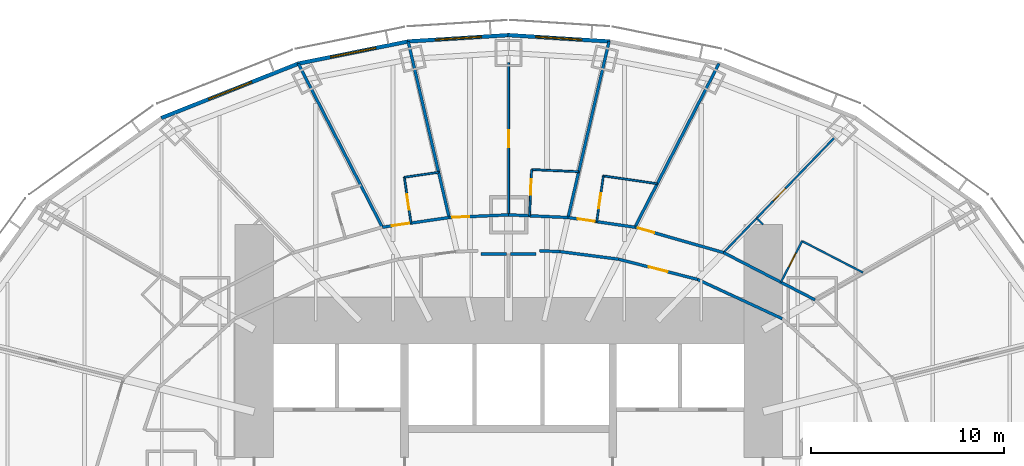
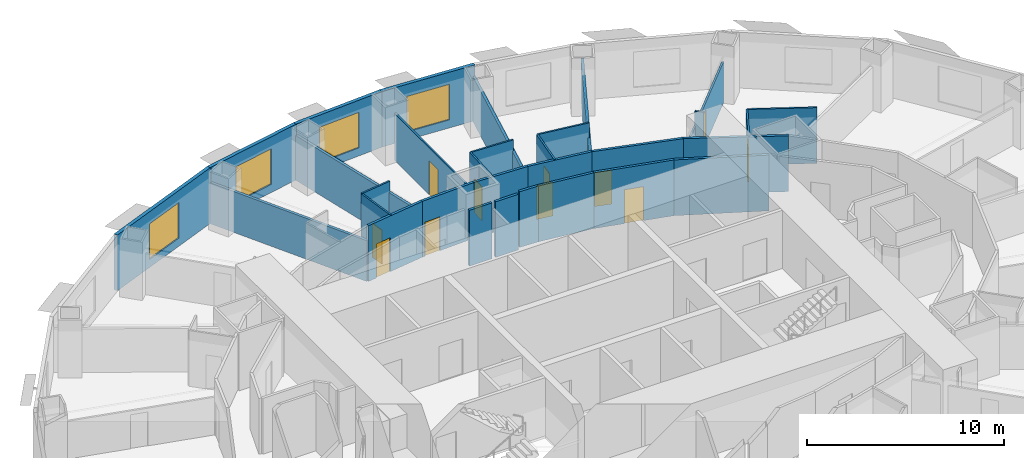
# One storey, part 9 of 15: 31 walls, 11 doors, 4 windows, 15 openings.
"""IFC4 building model written with IfcOpenShell, lengths in metres."""

from ifc_helpers import new_model, si_unit, direction, frame, frame_2d, origin, place, context, subcontext, project, spatial, rectangle, extrude, material, layer, layer_set, type_object, element, fill, save


model = new_model("IFC4")

# Units and contexts
model_context = context("Model", 3, precision=1e-05, world=origin(), true_north=direction((0.0, 1.0)))
body_context = subcontext(model_context, "Body", "Model", "MODEL_VIEW")
ifc_project = project(units=[si_unit("LENGTHUNIT", "METRE"), si_unit("AREAUNIT", "SQUARE_METRE"), si_unit("VOLUMEUNIT", "CUBIC_METRE"), si_unit("PLANEANGLEUNIT", "RADIAN"), si_unit("MASSUNIT", "GRAM", prefix="KILO")], contexts=[model_context])

# Site, building, storey
site_placement = place(None, origin())
site = spatial("IfcSite", under=ifc_project, at=site_placement, CompositionType="ELEMENT")
building_placement = place(site_placement, origin())
building = spatial("IfcBuilding", under=site, at=building_placement, Name="Lantaw Convention Tower", CompositionType="ELEMENT")
storey_placement = place(building_placement, frame((0.0, 0.0, 51.39990234375)))
storey = spatial("IfcBuildingStorey", under=building, at=storey_placement, Name="L10", CompositionType="ELEMENT", Elevation=51.39990234375)

# Wall, opening, door
ifc_material_1 = material(Name="Moisture resistant gypsum board on steel studs", Category="steel")
ifc_layer_1 = layer(ifc_material_1, 0.10009765625)
ifc_layer_set_1 = layer_set([ifc_layer_1], Name="Bathroom wall 100")
wall_type_1 = type_object("IfcWallType", Name="Bathroom wall 100", PredefinedType="PARTITIONING", material=ifc_layer_set_1)
wall_1_placement = place(storey_placement, frame((14.12451171875, 10.0048828125, 0.0), z_axis=(0.0, 0.0, 1.0), x_axis=(0.459218106657, 0.888323550582, 0.0)))
wall_1 = element("IfcWall", 1, at=wall_1_placement, inside=storey, type_object=wall_type_1, Name="Bathroom wall 100", PredefinedType="PARTITIONING", context=body_context, shape_type="SweptSolid", body=[
    extrude(rectangle(XDim=2.39990234375, YDim=0.10009765625, at=frame_2d((1.199951171875, 0.0))), origin(), (0.0, 0.0, 1.0), 3.4501953125),
])
opening_1_placement = place(wall_1_placement, frame((0.89990234375, 0.0, 0.0)))
opening_1 = element("IfcOpeningElement", 2, at=opening_1_placement, cuts=wall_1, Name="Opening L10.28", PredefinedType="OPENING", context=body_context, shape_type="SweptSolid", body=[
    extrude(rectangle(XDim=0.800048828125, YDim=2.10009765625, at=frame_2d((0.39990234375, 1.050048828125))), frame((0.0, 0.06005859375, 0.0), z_axis=(0.0, -1.0, 0.0), x_axis=(1.0, 0.0, 0.0)), (0.0, 0.0, 1.0), 0.1201171875),
])
ifc_material_2 = material(Name="Timber", Category="wood")
door_type_1 = type_object("IfcDoorType", Name="Bathroom door 800", OperationType="SINGLE_SWING_LEFT", PredefinedType="DOOR", material=ifc_material_2)
door_1_placement = place(opening_1_placement, origin())
door_1 = element("IfcDoor", 3, at=door_1_placement, inside=storey, type_object=door_type_1, Name="Bathroom door", OperationType="SINGLE_SWING_LEFT", OverallHeight=2.10009765625, OverallWidth=0.800048828125, PredefinedType="DOOR", context=body_context, shape_type="SweptSolid", body=[
    extrude(rectangle(XDim=0.800048828125, YDim=2.10009765625, at=frame_2d((0.39990234375, 1.050048828125))), frame((0.0, 0.02490234375, 0.0), z_axis=(0.0, -1.0, 0.0), x_axis=(1.0, 0.0, 0.0)), (0.0, 0.0, 1.0), 0.050048828125),
])
fill(opening_1, door_1)

# Wall
wall_2_placement = place(storey_placement, frame((15.2265625, 12.13671875, 0.0), z_axis=(0.0, 0.0, 1.0), x_axis=(0.888342312029, -0.459181812204, 0.0)))
element("IfcWall", 4, at=wall_2_placement, inside=storey, type_object=wall_type_1, Name="Bathroom wall 100", PredefinedType="PARTITIONING", context=body_context, shape_type="SweptSolid", body=[
    extrude(rectangle(XDim=3.5537109375, YDim=0.10009765625, at=frame_2d((1.77685546875, 0.0))), origin(), (0.0, 0.0, 1.0), 3.4501953125),
])

# Wall, opening, door
wall_3_placement = place(storey_placement, frame((4.572021484375, 13.144775390625, 0.0), z_axis=(0.0, 0.0, 1.0), x_axis=(0.143429072319, 0.989660599, 0.0)))
wall_3 = element("IfcWall", 5, at=wall_3_placement, inside=storey, type_object=wall_type_1, Name="Bathroom wall 100", PredefinedType="PARTITIONING", context=body_context, shape_type="SweptSolid", body=[
    extrude(rectangle(XDim=2.400146484375, YDim=0.10009765625, at=frame_2d((1.2001953125, 0.0))), origin(), (0.0, 0.0, 1.0), 3.4501953125),
])
opening_2_placement = place(wall_3_placement, frame((0.699951171875, 0.0, 0.0)))
opening_2 = element("IfcOpeningElement", 6, at=opening_2_placement, cuts=wall_3, Name="Opening L10.31", PredefinedType="OPENING", context=body_context, shape_type="SweptSolid", body=[
    extrude(rectangle(XDim=0.800048828125, YDim=2.10009765625, at=frame_2d((0.39990234375, 1.050048828125))), frame((0.0, 0.06005859375, 0.0), z_axis=(0.0, -1.0, 0.0), x_axis=(1.0, 0.0, 0.0)), (0.0, 0.0, 1.0), 0.1201171875),
])
door_2_placement = place(opening_2_placement, origin())
door_2 = element("IfcDoor", 7, at=door_2_placement, inside=storey, type_object=door_type_1, Name="Bathroom door", OperationType="SINGLE_SWING_LEFT", OverallHeight=2.10009765625, OverallWidth=0.800048828125, PredefinedType="DOOR", context=body_context, shape_type="SweptSolid", body=[
    extrude(rectangle(XDim=0.800048828125, YDim=2.10009765625, at=frame_2d((0.39990234375, 1.050048828125))), frame((0.0, 0.02490234375, 0.0), z_axis=(0.0, -1.0, 0.0), x_axis=(1.0, 0.0, 0.0)), (0.0, 0.0, 1.0), 0.050048828125),
])
fill(opening_2, door_2)

# Wall
wall_4_placement = place(storey_placement, frame((4.916259765625, 15.52001953125, 0.0), z_axis=(0.0, 0.0, 1.0), x_axis=(0.989657744136, -0.143448769503, 0.0)))
element("IfcWall", 8, at=wall_4_placement, inside=storey, type_object=wall_type_1, Name="Bathroom wall 100", PredefinedType="PARTITIONING", context=body_context, shape_type="SweptSolid", body=[
    extrude(rectangle(XDim=2.81494140625, YDim=0.10009765625, at=frame_2d((1.407470703125, 0.0))), origin(), (0.0, 0.0, 1.0), 3.4501953125),
])

# Wall, opening, door
wall_5_placement = place(storey_placement, frame((1.08642578125, 13.450927734375, 0.0), z_axis=(0.0, 0.0, 1.0), x_axis=(0.045269225691, 0.998974823109, 0.0)))
wall_5 = element("IfcWall", 9, at=wall_5_placement, inside=storey, type_object=wall_type_1, Name="Bathroom wall 100", PredefinedType="PARTITIONING", context=body_context, shape_type="SweptSolid", body=[
    extrude(rectangle(XDim=2.39990234375, YDim=0.10009765625, at=frame_2d((1.199951171875, 0.0))), origin(), (0.0, 0.0, 1.0), 3.4501953125),
])
opening_3_placement = place(wall_5_placement, frame((1.10009765625, 0.0, 0.0)))
opening_3 = element("IfcOpeningElement", 10, at=opening_3_placement, cuts=wall_5, Name="Opening L10.33", PredefinedType="OPENING", context=body_context, shape_type="SweptSolid", body=[
    extrude(rectangle(XDim=0.800048828125, YDim=2.10009765625, at=frame_2d((0.39990234375, 1.050048828125))), frame((0.0, 0.06005859375, 0.0), z_axis=(0.0, -1.0, 0.0), x_axis=(1.0, 0.0, 0.0)), (0.0, 0.0, 1.0), 0.1201171875),
])
door_3_placement = place(opening_3_placement, origin())
door_3 = element("IfcDoor", 11, at=door_3_placement, inside=storey, type_object=door_type_1, Name="Bathroom door", OperationType="SINGLE_SWING_LEFT", OverallHeight=2.10009765625, OverallWidth=0.800048828125, PredefinedType="DOOR", context=body_context, shape_type="SweptSolid", body=[
    extrude(rectangle(XDim=0.800048828125, YDim=2.10009765625, at=frame_2d((0.39990234375, 1.050048828125))), frame((0.0, 0.02490234375, 0.0), z_axis=(0.0, -1.0, 0.0), x_axis=(1.0, 0.0, 0.0)), (0.0, 0.0, 1.0), 0.050048828125),
])
fill(opening_3, door_3)

# Wall
wall_6_placement = place(storey_placement, frame((1.195068359375, 15.848388671875, 0.0), z_axis=(0.0, 0.0, 1.0), x_axis=(0.998977389599, -0.045212554331, 0.0)))
element("IfcWall", 12, at=wall_6_placement, inside=storey, type_object=wall_type_1, Name="Bathroom wall 100", PredefinedType="PARTITIONING", context=body_context, shape_type="SweptSolid", body=[
    extrude(rectangle(XDim=2.440673828125, YDim=0.10009765625, at=frame_2d((1.22021484375, 0.0))), origin(), (0.0, 0.0, 1.0), 3.4501953125),
])

# Wall, opening, door
wall_7_placement = place(storey_placement, frame((-5.063720703125, 13.073486328125, 0.0), z_axis=(0.0, 0.0, 1.0), x_axis=(-0.143429072319, 0.989660599, 0.0)))
wall_7 = element("IfcWall", 13, at=wall_7_placement, inside=storey, type_object=wall_type_1, Name="Bathroom wall 100", PredefinedType="PARTITIONING", context=body_context, shape_type="SweptSolid", body=[
    extrude(rectangle(XDim=2.400146484375, YDim=0.10009765625, at=frame_2d((1.2001953125, 0.0))), origin(), (0.0, 0.0, 1.0), 3.4501953125),
])
opening_4_placement = place(wall_7_placement, frame((0.699951171875, 0.0, 0.0)))
opening_4 = element("IfcOpeningElement", 14, at=opening_4_placement, cuts=wall_7, Name="Opening L10.36", PredefinedType="OPENING", context=body_context, shape_type="SweptSolid", body=[
    extrude(rectangle(XDim=0.800048828125, YDim=2.10009765625, at=frame_2d((0.39990234375, 1.050048828125))), frame((0.0, 0.06005859375, 0.0), z_axis=(0.0, -1.0, 0.0), x_axis=(1.0, 0.0, 0.0)), (0.0, 0.0, 1.0), 0.1201171875),
])
door_4_placement = place(opening_4_placement, origin())
door_4 = element("IfcDoor", 15, at=door_4_placement, inside=storey, type_object=door_type_1, Name="Bathroom door", OperationType="SINGLE_SWING_LEFT", OverallHeight=2.10009765625, OverallWidth=0.800048828125, PredefinedType="DOOR", context=body_context, shape_type="SweptSolid", body=[
    extrude(rectangle(XDim=0.800048828125, YDim=2.10009765625, at=frame_2d((0.39990234375, 1.050048828125))), frame((0.0, 0.02490234375, 0.0), z_axis=(0.0, -1.0, 0.0), x_axis=(1.0, 0.0, 0.0)), (0.0, 0.0, 1.0), 0.050048828125),
])
fill(opening_4, door_4)

# Walls
wall_8_placement = place(storey_placement, frame((-5.407958984375, 15.44873046875, 0.0), z_axis=(0.0, 0.0, 1.0), x_axis=(0.989654460802, 0.143471419502, 0.0)))
element("IfcWall", 16, at=wall_8_placement, inside=storey, type_object=wall_type_1, Name="Bathroom wall 100", PredefinedType="PARTITIONING", context=body_context, shape_type="SweptSolid", body=[
    extrude(rectangle(XDim=1.80029296875, YDim=0.10009765625, at=frame_2d((0.900146484375, 0.0))), origin(), (0.0, 0.0, 1.0), 3.4501953125),
])
ifc_material_3 = material(Name="Gypsum board on steel studs, fire rated", Category="steel")
ifc_layer_2 = layer(ifc_material_3, 0.14990234375)
ifc_layer_set_2 = layer_set([ifc_layer_2], Name="Corridor wall 150 EI 60")
wall_type_2 = type_object("IfcWallType", Name="Corridor wall 150 EI 60", PredefinedType="PARTITIONING", material=ifc_layer_set_2)
wall_9_placement = place(storey_placement, frame((15.901123046875, 9.08642578125, 0.0), z_axis=(0.0, 0.0, 1.0), x_axis=(-0.888333171507, 0.459199495209, 0.0)))
element("IfcWall", 17, at=wall_9_placement, inside=storey, type_object=wall_type_2, Name="Corridor wall 150", PredefinedType="PARTITIONING", context=body_context, shape_type="SweptSolid", body=[
    extrude(rectangle(XDim=5.351318359375, YDim=0.14990234375, at=frame_2d((2.67578125, 0.0))), origin(), (0.0, 0.0, 1.0), 3.4501953125),
])

# Wall, opening, door
wall_10_placement = place(storey_placement, frame((11.1474609375, 11.543701171875, 0.0), z_axis=(0.0, 0.0, 1.0), x_axis=(-0.961464178199, 0.27493023486, 0.0)))
wall_10 = element("IfcWall", 18, at=wall_10_placement, inside=storey, type_object=wall_type_2, Name="Corridor wall 150", PredefinedType="PARTITIONING", context=body_context, shape_type="SweptSolid", body=[
    extrude(rectangle(XDim=4.7802734375, YDim=0.14990234375, at=frame_2d((2.39013671875, 0.0))), origin(), (0.0, 0.0, 1.0), 3.4501953125),
])
opening_5_placement = place(wall_10_placement, frame((3.730224609375, 0.0, 0.0)))
opening_5 = element("IfcOpeningElement", 19, at=opening_5_placement, cuts=wall_10, Name="Opening L10.30", PredefinedType="OPENING", context=body_context, shape_type="SweptSolid", body=[
    extrude(rectangle(XDim=0.89990234375, YDim=2.10009765625, at=frame_2d((0.449951171875, 1.050048828125))), frame((0.0, 0.0849609375, 0.0), z_axis=(0.0, -1.0, 0.0), x_axis=(1.0, 0.0, 0.0)), (0.0, 0.0, 1.0), 0.169921875),
])
ifc_material_4 = material(Name="Steel, fire rated", Category="steel")
door_type_2 = type_object("IfcDoorType", Name="Guest room entrance door FD30S", OperationType="SINGLE_SWING_LEFT", PredefinedType="DOOR", material=ifc_material_4)
door_5_placement = place(opening_5_placement, origin())
door_5 = element("IfcDoor", 20, at=door_5_placement, inside=storey, type_object=door_type_2, Name="Suite entrance door", OperationType="SINGLE_SWING_LEFT", OverallHeight=2.10009765625, OverallWidth=0.89990234375, PredefinedType="DOOR", context=body_context, shape_type="SweptSolid", body=[
    extrude(rectangle(XDim=0.89990234375, YDim=2.10009765625, at=frame_2d((0.449951171875, 1.050048828125))), frame((0.0, 0.02490234375, 0.0), z_axis=(0.0, -1.0, 0.0), x_axis=(1.0, 0.0, 0.0)), (0.0, 0.0, 1.0), 0.050048828125),
])
fill(opening_5, door_5)

wall_11_placement = place(storey_placement, frame((6.551513671875, 12.85791015625, 0.0), z_axis=(0.0, 0.0, 1.0), x_axis=(-0.989661745886, 0.143421158583, 0.0)))
wall_11 = element("IfcWall", 21, at=wall_11_placement, inside=storey, type_object=wall_type_2, Name="Corridor wall 150", PredefinedType="PARTITIONING", context=body_context, shape_type="SweptSolid", body=[
    extrude(rectangle(XDim=3.503173828125, YDim=0.14990234375, at=frame_2d((1.75146484375, 0.0))), origin(), (0.0, 0.0, 1.0), 3.4501953125),
])
opening_6_placement = place(wall_11_placement, frame((2.10009765625, 0.0, 0.0)))
opening_6 = element("IfcOpeningElement", 22, at=opening_6_placement, cuts=wall_11, Name="Opening L10.32", PredefinedType="OPENING", context=body_context, shape_type="SweptSolid", body=[
    extrude(rectangle(XDim=0.89990234375, YDim=2.10009765625, at=frame_2d((0.449951171875, 1.050048828125))), frame((0.0, 0.0849609375, 0.0), z_axis=(0.0, -1.0, 0.0), x_axis=(1.0, 0.0, 0.0)), (0.0, 0.0, 1.0), 0.169921875),
])
door_6_placement = place(opening_6_placement, origin())
door_6 = element("IfcDoor", 23, at=door_6_placement, inside=storey, type_object=door_type_2, Name="Guest room entrance door", OperationType="SINGLE_SWING_LEFT", OverallHeight=2.10009765625, OverallWidth=0.89990234375, PredefinedType="DOOR", context=body_context, shape_type="SweptSolid", body=[
    extrude(rectangle(XDim=0.89990234375, YDim=2.10009765625, at=frame_2d((0.449951171875, 1.050048828125))), frame((0.0, 0.02490234375, 0.0), z_axis=(0.0, -1.0, 0.0), x_axis=(1.0, 0.0, 0.0)), (0.0, 0.0, 1.0), 0.050048828125),
])
fill(opening_6, door_6)

# Wall
wall_12_placement = place(storey_placement, frame((3.08447265625, 13.3603515625, 0.0), z_axis=(0.0, 0.0, 1.0), x_axis=(-0.998976675711, 0.045228325036, 0.0)))
element("IfcWall", 24, at=wall_12_placement, inside=storey, type_object=wall_type_2, Name="Corridor wall 150", PredefinedType="PARTITIONING", context=body_context, shape_type="SweptSolid", body=[
    extrude(rectangle(XDim=3.087646484375, YDim=0.14990234375, at=frame_2d((1.5439453125, 0.0))), origin(), (0.0, 0.0, 1.0), 3.4501953125),
])

# Wall, opening, door
wall_13_placement = place(storey_placement, frame((0.0, 13.5, 0.0), z_axis=(0.0, 0.0, 1.0), x_axis=(-0.998976675711, -0.045228325036, 0.0)))
wall_13 = element("IfcWall", 25, at=wall_13_placement, inside=storey, type_object=wall_type_2, Name="Corridor wall 150", PredefinedType="PARTITIONING", context=body_context, shape_type="SweptSolid", body=[
    extrude(rectangle(XDim=3.087646484375, YDim=0.14990234375, at=frame_2d((1.5439453125, 0.0))), origin(), (0.0, 0.0, 1.0), 3.4501953125),
])
opening_7_placement = place(wall_13_placement, frame((2.03759765625, 0.0, 0.0)))
opening_7 = element("IfcOpeningElement", 26, at=opening_7_placement, cuts=wall_13, Name="Opening L10.35", PredefinedType="OPENING", context=body_context, shape_type="SweptSolid", body=[
    extrude(rectangle(XDim=0.89990234375, YDim=2.10009765625, at=frame_2d((0.449951171875, 1.050048828125))), frame((0.0, 0.0849609375, 0.0), z_axis=(0.0, -1.0, 0.0), x_axis=(1.0, 0.0, 0.0)), (0.0, 0.0, 1.0), 0.169921875),
])
door_7_placement = place(opening_7_placement, origin())
door_7 = element("IfcDoor", 27, at=door_7_placement, inside=storey, type_object=door_type_2, Name="Suite entrance door", OperationType="SINGLE_SWING_LEFT", OverallHeight=2.10009765625, OverallWidth=0.89990234375, PredefinedType="DOOR", context=body_context, shape_type="SweptSolid", body=[
    extrude(rectangle(XDim=0.89990234375, YDim=2.10009765625, at=frame_2d((0.449951171875, 1.050048828125))), frame((0.0, 0.02490234375, 0.0), z_axis=(0.0, -1.0, 0.0), x_axis=(1.0, 0.0, 0.0)), (0.0, 0.0, 1.0), 0.050048828125),
])
fill(opening_7, door_7)

wall_14_placement = place(storey_placement, frame((-3.08447265625, 13.3603515625, 0.0), z_axis=(0.0, 0.0, 1.0), x_axis=(-0.989661745886, -0.143421158583, 0.0)))
wall_14 = element("IfcWall", 28, at=wall_14_placement, inside=storey, type_object=wall_type_2, Name="Corridor wall 150", PredefinedType="PARTITIONING", context=body_context, shape_type="SweptSolid", body=[
    extrude(rectangle(XDim=3.503173828125, YDim=0.14990234375, at=frame_2d((1.75146484375, 0.0))), origin(), (0.0, 0.0, 1.0), 3.4501953125),
])
opening_8_placement = place(wall_14_placement, frame((2.10009765625, 0.0, 0.0)))
opening_8 = element("IfcOpeningElement", 29, at=opening_8_placement, cuts=wall_14, Name="Opening L10.37", PredefinedType="OPENING", context=body_context, shape_type="SweptSolid", body=[
    extrude(rectangle(XDim=0.89990234375, YDim=2.10009765625, at=frame_2d((0.449951171875, 1.050048828125))), frame((0.0, 0.0849609375, 0.0), z_axis=(0.0, -1.0, 0.0), x_axis=(1.0, 0.0, 0.0)), (0.0, 0.0, 1.0), 0.169921875),
])
door_8_placement = place(opening_8_placement, origin())
door_8 = element("IfcDoor", 30, at=door_8_placement, inside=storey, type_object=door_type_2, Name="Guest room entrance door", OperationType="SINGLE_SWING_LEFT", OverallHeight=2.10009765625, OverallWidth=0.89990234375, PredefinedType="DOOR", context=body_context, shape_type="SweptSolid", body=[
    extrude(rectangle(XDim=0.89990234375, YDim=2.10009765625, at=frame_2d((0.449951171875, 1.050048828125))), frame((0.0, 0.02490234375, 0.0), z_axis=(0.0, -1.0, 0.0), x_axis=(1.0, 0.0, 0.0)), (0.0, 0.0, 1.0), 0.050048828125),
])
fill(opening_8, door_8)

# Wall
wall_15_placement = place(storey_placement, frame((14.196044921875, 8.112060546875, 0.0), z_axis=(0.0, 0.0, 1.0), x_axis=(-0.907279653965, 0.420527798727, 0.0)))
element("IfcWall", 31, at=wall_15_placement, inside=storey, type_object=wall_type_2, Name="Corridor wall 150", PredefinedType="PARTITIONING", context=body_context, shape_type="SweptSolid", body=[
    extrude(rectangle(XDim=4.84423828125, YDim=0.14990234375, at=frame_2d((2.422119140625, 0.0))), origin(), (0.0, 0.0, 1.0), 3.4501953125),
])

# Wall, opening, door
wall_16_placement = place(storey_placement, frame((9.801025390625, 10.149169921875, 0.0), z_axis=(0.0, 0.0, 1.0), x_axis=(-0.968705891355, 0.248211393886, 0.0)))
wall_16 = element("IfcWall", 32, at=wall_16_placement, inside=storey, type_object=wall_type_2, Name="Corridor wall 150", PredefinedType="PARTITIONING", context=body_context, shape_type="SweptSolid", body=[
    extrude(rectangle(XDim=4.2275390625, YDim=0.14990234375, at=frame_2d((2.11376953125, 0.0))), origin(), (0.0, 0.0, 1.0), 3.4501953125),
])
opening_9_placement = place(wall_16_placement, frame((1.61376953125, 0.0, 0.0)))
opening_9 = element("IfcOpeningElement", 33, at=opening_9_placement, cuts=wall_16, Name="Opening L10.17", PredefinedType="OPENING", context=body_context, shape_type="SweptSolid", body=[
    extrude(rectangle(XDim=1.0, YDim=2.10009765625, at=frame_2d((0.5, 1.050048828125))), frame((0.0, 0.0849609375, 0.0), z_axis=(0.0, -1.0, 0.0), x_axis=(1.0, 0.0, 0.0)), (0.0, 0.0, 1.0), 0.169921875),
])
door_type_3 = type_object("IfcDoorType", Name="Service door 1000 FD30", OperationType="SINGLE_SWING_LEFT", PredefinedType="DOOR", material=ifc_material_4)
door_9_placement = place(opening_9_placement, origin())
door_9 = element("IfcDoor", 34, at=door_9_placement, inside=storey, type_object=door_type_3, Name="Linen store door", OperationType="SINGLE_SWING_LEFT", OverallHeight=2.10009765625, OverallWidth=1.0, PredefinedType="DOOR", context=body_context, shape_type="SweptSolid", body=[
    extrude(rectangle(XDim=1.0, YDim=2.10009765625, at=frame_2d((0.5, 1.050048828125))), frame((0.0, 0.02490234375, 0.0), z_axis=(0.0, -1.0, 0.0), x_axis=(1.0, 0.0, 0.0)), (0.0, 0.0, 1.0), 0.050048828125),
])
fill(opening_9, door_9)

# Walls
wall_17_placement = place(storey_placement, frame((5.705810546875, 11.198486328125, 0.0), z_axis=(0.0, 0.0, 1.0), x_axis=(-0.99168929531, 0.128655903743, 0.0)))
element("IfcWall", 35, at=wall_17_placement, inside=storey, type_object=wall_type_2, Name="Corridor wall 150", PredefinedType="PARTITIONING", context=body_context, shape_type="SweptSolid", body=[
    extrude(rectangle(XDim=3.05517578125, YDim=0.14990234375, at=frame_2d((1.527587890625, 0.0))), origin(), (0.0, 0.0, 1.0), 3.4501953125),
])
wall_18_placement = place(storey_placement, frame((2.676025390625, 11.591552734375, 0.0), z_axis=(0.0, 0.0, 1.0), x_axis=(-0.999178004727, 0.040537820228, 0.0)))
element("IfcWall", 36, at=wall_18_placement, inside=storey, type_object=wall_type_2, Name="Corridor wall 150", PredefinedType="PARTITIONING", context=body_context, shape_type="SweptSolid", body=[
    extrude(rectangle(XDim=1.078125, YDim=0.14990234375, at=frame_2d((0.5390625, 0.0))), origin(), (0.0, 0.0, 1.0), 3.4501953125),
])
for number, where, z_axis, x_axis, name in (
    (37, (1.424560546875, 11.47509765625, 0.0), (0.0, 0.0, 1.0), (-1.0, 0.0, 0.0), "Corridor wall 150"),
    (38, (-0.103271484375, 11.47509765625, 0.0), (0.0, 0.0, 1.0), (-1.0, 0.0, 0.0), "Corridor wall 150"),
):
    element("IfcWall", number, at=place(storey_placement, frame(where, z_axis=z_axis, x_axis=x_axis)), inside=storey, type_object=wall_type_2, Name=name, PredefinedType="PARTITIONING", context=body_context, shape_type="SweptSolid", body=[
        extrude(rectangle(XDim=1.3212890625, YDim=0.14990234375, at=frame_2d((0.66064453125, 0.0))), origin(), (0.0, 0.0, 1.0), 3.4501953125),
    ])

# Wall, opening, window
ifc_material_5 = material(Name="Insulated aluminium panel on steel frame", Category="steel")
ifc_layer_3 = layer(ifc_material_5, 0.199951171875)
ifc_layer_set_3 = layer_set([ifc_layer_3], Name="External wall 200")
wall_type_3 = type_object("IfcWallType", Name="External wall 200", PredefinedType="SOLIDWALL", material=ifc_layer_set_3)
wall_19_placement = place(storey_placement, frame((5.252685546875, 22.493408203125, 0.0), z_axis=(0.0, 0.0, 1.0), x_axis=(-0.998018582375, 0.062919863585, 0.0)))
wall_19 = element("IfcWall", 39, at=wall_19_placement, inside=storey, type_object=wall_type_3, Name="Facade panel wall", PredefinedType="SOLIDWALL", context=body_context, shape_type="SweptSolid", body=[
    extrude(rectangle(XDim=5.30419921875, YDim=0.199951171875, at=frame_2d((2.652099609375, 0.0))), origin(), (0.0, 0.0, 1.0), 3.4501953125),
])
opening_10_placement = place(wall_19_placement, frame((1.4521484375, 0.0, 0.5)))
opening_10 = element("IfcOpeningElement", 40, at=opening_10_placement, cuts=wall_19, Name="Opening W1", PredefinedType="OPENING", context=body_context, shape_type="SweptSolid", body=[
    extrude(rectangle(XDim=2.39990234375, YDim=2.199951171875, at=frame_2d((1.199951171875, 1.10009765625))), frame((0.0, 0.10986328125, 0.0), z_axis=(0.0, -1.0, 0.0), x_axis=(1.0, 0.0, 0.0)), (0.0, 0.0, 1.0), 0.219970703125),
])
ifc_material_6 = material(Name="Aluminium frame, clear insulating glass", Category="aluminium")
window_type = type_object("IfcWindowType", Name="Guest room window 2400x2200", PartitioningType="SINGLE_PANEL", PredefinedType="WINDOW", material=ifc_material_6)
window_1_placement = place(opening_10_placement, origin())
window_1 = element("IfcWindow", 41, at=window_1_placement, inside=storey, type_object=window_type, Name="Guest room window", OverallHeight=2.199951171875, OverallWidth=2.39990234375, PartitioningType="SINGLE_PANEL", PredefinedType="WINDOW", context=body_context, shape_type="SweptSolid", body=[
    extrude(rectangle(XDim=2.39990234375, YDim=2.199951171875, at=frame_2d((1.199951171875, 1.10009765625))), frame((0.0, 0.030029296875, 0.0), z_axis=(0.0, -1.0, 0.0), x_axis=(1.0, 0.0, 0.0)), (0.0, 0.0, 1.0), 0.06005859375),
])
fill(opening_10, window_1)

wall_20_placement = place(storey_placement, frame((0.041015625, 22.8271484375, 0.0), z_axis=(0.0, 0.0, 1.0), x_axis=(-0.998018582375, -0.062919863585, 0.0)))
wall_20 = element("IfcWall", 42, at=wall_20_placement, inside=storey, type_object=wall_type_3, Name="Facade panel wall", PredefinedType="SOLIDWALL", context=body_context, shape_type="SweptSolid", body=[
    extrude(rectangle(XDim=5.30419921875, YDim=0.199951171875, at=frame_2d((2.652099609375, 0.0))), origin(), (0.0, 0.0, 1.0), 3.4501953125),
])
opening_11_placement = place(wall_20_placement, frame((1.4521484375, 0.0, 0.5)))
opening_11 = element("IfcOpeningElement", 43, at=opening_11_placement, cuts=wall_20, Name="Opening W1", PredefinedType="OPENING", context=body_context, shape_type="SweptSolid", body=[
    extrude(rectangle(XDim=2.39990234375, YDim=2.199951171875, at=frame_2d((1.199951171875, 1.10009765625))), frame((0.0, 0.10986328125, 0.0), z_axis=(0.0, -1.0, 0.0), x_axis=(1.0, 0.0, 0.0)), (0.0, 0.0, 1.0), 0.219970703125),
])
window_2_placement = place(opening_11_placement, origin())
window_2 = element("IfcWindow", 44, at=window_2_placement, inside=storey, type_object=window_type, Name="Guest room window", OverallHeight=2.199951171875, OverallWidth=2.39990234375, PartitioningType="SINGLE_PANEL", PredefinedType="WINDOW", context=body_context, shape_type="SweptSolid", body=[
    extrude(rectangle(XDim=2.39990234375, YDim=2.199951171875, at=frame_2d((1.199951171875, 1.10009765625))), frame((0.0, 0.030029296875, 0.0), z_axis=(0.0, -1.0, 0.0), x_axis=(1.0, 0.0, 0.0)), (0.0, 0.0, 1.0), 0.06005859375),
])
fill(opening_11, window_2)

wall_21_placement = place(storey_placement, frame((-5.169677734375, 22.504150390625, 0.0), z_axis=(0.0, 0.0, 1.0), x_axis=(-0.980251657452, -0.197754110105, 0.0)))
wall_21 = element("IfcWall", 45, at=wall_21_placement, inside=storey, type_object=wall_type_3, Name="Facade panel wall", PredefinedType="SOLIDWALL", context=body_context, shape_type="SweptSolid", body=[
    extrude(rectangle(XDim=5.90380859375, YDim=0.199951171875, at=frame_2d((2.951904296875, 0.0))), origin(), (0.0, 0.0, 1.0), 3.4501953125),
])
opening_12_placement = place(wall_21_placement, frame((1.751708984375, 0.0, 0.5)))
opening_12 = element("IfcOpeningElement", 46, at=opening_12_placement, cuts=wall_21, Name="Opening W1", PredefinedType="OPENING", context=body_context, shape_type="SweptSolid", body=[
    extrude(rectangle(XDim=2.39990234375, YDim=2.199951171875, at=frame_2d((1.199951171875, 1.10009765625))), frame((0.0, 0.10986328125, 0.0), z_axis=(0.0, -1.0, 0.0), x_axis=(1.0, 0.0, 0.0)), (0.0, 0.0, 1.0), 0.219970703125),
])
window_3_placement = place(opening_12_placement, origin())
window_3 = element("IfcWindow", 47, at=window_3_placement, inside=storey, type_object=window_type, Name="Guest room window", OverallHeight=2.199951171875, OverallWidth=2.39990234375, PartitioningType="SINGLE_PANEL", PredefinedType="WINDOW", context=body_context, shape_type="SweptSolid", body=[
    extrude(rectangle(XDim=2.39990234375, YDim=2.199951171875, at=frame_2d((1.199951171875, 1.10009765625))), frame((0.0, 0.030029296875, 0.0), z_axis=(0.0, -1.0, 0.0), x_axis=(1.0, 0.0, 0.0)), (0.0, 0.0, 1.0), 0.06005859375),
])
fill(opening_12, window_3)

wall_22_placement = place(storey_placement, frame((-10.869384765625, 21.362548828125, 0.0), z_axis=(0.0, 0.0, 1.0), x_axis=(-0.929358351251, -0.369178892895, 0.0)))
wall_22 = element("IfcWall", 48, at=wall_22_placement, inside=storey, type_object=wall_type_3, Name="Facade panel wall", PredefinedType="SOLIDWALL", context=body_context, shape_type="SweptSolid", body=[
    extrude(rectangle(XDim=7.6923828125, YDim=0.199951171875, at=frame_2d((3.84619140625, 0.0))), origin(), (0.0, 0.0, 1.0), 3.4501953125),
])
opening_13_placement = place(wall_22_placement, frame((2.64599609375, 0.0, 0.5)))
opening_13 = element("IfcOpeningElement", 49, at=opening_13_placement, cuts=wall_22, Name="Opening W1", PredefinedType="OPENING", context=body_context, shape_type="SweptSolid", body=[
    extrude(rectangle(XDim=2.39990234375, YDim=2.199951171875, at=frame_2d((1.199951171875, 1.10009765625))), frame((0.0, 0.10986328125, 0.0), z_axis=(0.0, -1.0, 0.0), x_axis=(1.0, 0.0, 0.0)), (0.0, 0.0, 1.0), 0.219970703125),
])
window_4_placement = place(opening_13_placement, origin())
window_4 = element("IfcWindow", 50, at=window_4_placement, inside=storey, type_object=window_type, Name="Guest room window", OverallHeight=2.199951171875, OverallWidth=2.39990234375, PartitioningType="SINGLE_PANEL", PredefinedType="WINDOW", context=body_context, shape_type="SweptSolid", body=[
    extrude(rectangle(XDim=2.39990234375, YDim=2.199951171875, at=frame_2d((1.199951171875, 1.10009765625))), frame((0.0, 0.030029296875, 0.0), z_axis=(0.0, -1.0, 0.0), x_axis=(1.0, 0.0, 0.0)), (0.0, 0.0, 1.0), 0.06005859375),
])
fill(opening_13, window_4)

# Walls
ifc_material_7 = material(Name="Gypsum board on steel studs, acoustic", Category="steel")
ifc_layer_4 = layer(ifc_material_7, 0.14990234375)
ifc_layer_set_4 = layer_set([ifc_layer_4], Name="Guest room party wall 150")
wall_type_4 = type_object("IfcWallType", Name="Guest room party wall 150", PredefinedType="PARTITIONING", material=ifc_layer_set_4)
wall_23_placement = place(storey_placement, frame((10.911865234375, 21.345703125, 0.0), z_axis=(0.0, 0.0, 1.0), x_axis=(-0.456950233066, -0.889492262193, 0.0)))
element("IfcWall", 51, at=wall_23_placement, inside=storey, type_object=wall_type_4, Name="Guest room party wall 150", PredefinedType="PARTITIONING", context=body_context, shape_type="SweptSolid", body=[
    extrude(rectangle(XDim=9.542236328125, YDim=0.14990234375, at=frame_2d((4.77099609375, 0.0))), origin(), (0.0, 0.0, 1.0), 2.528076171875),
])
for number, where, z_axis, x_axis, name in (
    (52, (5.2109375, 22.495849609375, 0.0), (0.0, 0.0, 1.0), (-0.226708737679, -0.973962601058, 0.0), "Guest room party wall 150"),
    (53, (-5.2109375, 22.495849609375, 0.0), (0.0, 0.0, 1.0), (0.226708737679, -0.973962601058, 0.0), "Guest room party wall 150"),
):
    element("IfcWall", number, at=place(storey_placement, frame(where, z_axis=z_axis, x_axis=x_axis)), inside=storey, type_object=wall_type_4, Name=name, PredefinedType="PARTITIONING", context=body_context, shape_type="SweptSolid", body=[
        extrude(rectangle(XDim=9.379638671875, YDim=0.14990234375, at=frame_2d((4.68994140625, 0.0))), origin(), (0.0, 0.0, 1.0), 2.766845703125),
    ])
wall_24_placement = place(storey_placement, frame((-10.911865234375, 21.345703125, 0.0), z_axis=(0.0, 0.0, 1.0), x_axis=(0.456950233066, -0.889492262193, 0.0)))
element("IfcWall", 54, at=wall_24_placement, inside=storey, type_object=wall_type_4, Name="Guest room party wall 150", PredefinedType="PARTITIONING", context=body_context, shape_type="SweptSolid", body=[
    extrude(rectangle(XDim=9.542236328125, YDim=0.14990234375, at=frame_2d((4.77099609375, 0.0))), origin(), (0.0, 0.0, 1.0), 2.528076171875),
])
ifc_layer_5 = layer(ifc_material_7, 0.10009765625)
ifc_layer_set_5 = layer_set([ifc_layer_5], Name="Office partition 100")
wall_type_5 = type_object("IfcWallType", Name="Office partition 100", PredefinedType="PARTITIONING", material=ifc_layer_set_5)
wall_25_placement = place(storey_placement, frame((13.199951171875, 13.0, 0.0), z_axis=(0.0, 0.0, 1.0), x_axis=(-0.719347134512, 0.69465077562, 0.0)))
element("IfcWall", 55, at=wall_25_placement, inside=storey, type_object=wall_type_5, Name="Office partition 100", PredefinedType="PARTITIONING", context=body_context, shape_type="SweptSolid", body=[
    extrude(rectangle(XDim=0.464599609375, YDim=0.10009765625, at=frame_2d((0.232421875, 0.0))), origin(), (0.0, 0.0, 1.0), 3.4501953125),
])

# Wall, opening, door
ifc_material_8 = material(Name="Gypsum board on steel studs", Category="steel")
ifc_layer_6 = layer(ifc_material_8, 0.10009765625)
ifc_layer_set_6 = layer_set([ifc_layer_6], Name="Suite partition 100")
wall_type_6 = type_object("IfcWallType", Name="Suite partition 100", PredefinedType="PARTITIONING", material=ifc_layer_set_6)
wall_26_placement = place(storey_placement, frame((16.943603515625, 17.54541015625, 0.0), z_axis=(0.0, 0.0, 1.0), x_axis=(-0.694680670522, -0.71931826475, 0.0)))
wall_26 = element("IfcWall", 56, at=wall_26_placement, inside=storey, type_object=wall_type_6, Name="Suite partition 100", PredefinedType="PARTITIONING", context=body_context, shape_type="SweptSolid", body=[
    extrude(rectangle(XDim=8.343505859375, YDim=0.10009765625, at=frame_2d((4.171875, 0.0))), origin(), (0.0, 0.0, 1.0), 2.528076171875),
])
opening_14_placement = place(wall_26_placement, frame((3.7216796875, 0.0, 0.0)))
opening_14 = element("IfcOpeningElement", 57, at=opening_14_placement, cuts=wall_26, Name="Opening L10.29", PredefinedType="OPENING", context=body_context, shape_type="SweptSolid", body=[
    extrude(rectangle(XDim=0.89990234375, YDim=2.10009765625, at=frame_2d((0.449951171875, 1.050048828125))), frame((0.0, 0.06005859375, 0.0), z_axis=(0.0, -1.0, 0.0), x_axis=(1.0, 0.0, 0.0)), (0.0, 0.0, 1.0), 0.1201171875),
])
door_type_4 = type_object("IfcDoorType", Name="Suite door 900", OperationType="SINGLE_SWING_LEFT", PredefinedType="DOOR", material=ifc_material_2)
door_10_placement = place(opening_14_placement, origin())
door_10 = element("IfcDoor", 58, at=door_10_placement, inside=storey, type_object=door_type_4, Name="Bedroom door", OperationType="SINGLE_SWING_LEFT", OverallHeight=2.10009765625, OverallWidth=0.89990234375, PredefinedType="DOOR", context=body_context, shape_type="SweptSolid", body=[
    extrude(rectangle(XDim=0.89990234375, YDim=2.10009765625, at=frame_2d((0.449951171875, 1.050048828125))), frame((0.0, 0.02490234375, 0.0), z_axis=(0.0, -1.0, 0.0), x_axis=(1.0, 0.0, 0.0)), (0.0, 0.0, 1.0), 0.050048828125),
])
fill(opening_14, door_10)

wall_27_placement = place(storey_placement, frame((0.0, 21.39990234375, 0.0), z_axis=(0.0, 0.0, 1.0), x_axis=(0.0, -1.0, 0.0)))
wall_27 = element("IfcWall", 59, at=wall_27_placement, inside=storey, type_object=wall_type_6, Name="Suite partition 100", PredefinedType="PARTITIONING", context=body_context, shape_type="SweptSolid", body=[
    extrude(rectangle(XDim=7.89990234375, YDim=0.10009765625, at=frame_2d((3.949951171875, 0.0))), origin(), (0.0, 0.0, 1.0), 2.92431640625),
])
opening_15_placement = place(wall_27_placement, frame((3.5, 0.0, 0.0)))
opening_15 = element("IfcOpeningElement", 60, at=opening_15_placement, cuts=wall_27, Name="Opening L10.34", PredefinedType="OPENING", context=body_context, shape_type="SweptSolid", body=[
    extrude(rectangle(XDim=0.89990234375, YDim=2.10009765625, at=frame_2d((0.449951171875, 1.050048828125))), frame((0.0, 0.06005859375, 0.0), z_axis=(0.0, -1.0, 0.0), x_axis=(1.0, 0.0, 0.0)), (0.0, 0.0, 1.0), 0.1201171875),
])
door_11_placement = place(opening_15_placement, origin())
door_11 = element("IfcDoor", 61, at=door_11_placement, inside=storey, type_object=door_type_4, Name="Bedroom door", OperationType="SINGLE_SWING_LEFT", OverallHeight=2.10009765625, OverallWidth=0.89990234375, PredefinedType="DOOR", context=body_context, shape_type="SweptSolid", body=[
    extrude(rectangle(XDim=0.89990234375, YDim=2.10009765625, at=frame_2d((0.449951171875, 1.050048828125))), frame((0.0, 0.02490234375, 0.0), z_axis=(0.0, -1.0, 0.0), x_axis=(1.0, 0.0, 0.0)), (0.0, 0.0, 1.0), 0.050048828125),
])
fill(opening_15, door_11)

save(model, "model.ifc")
